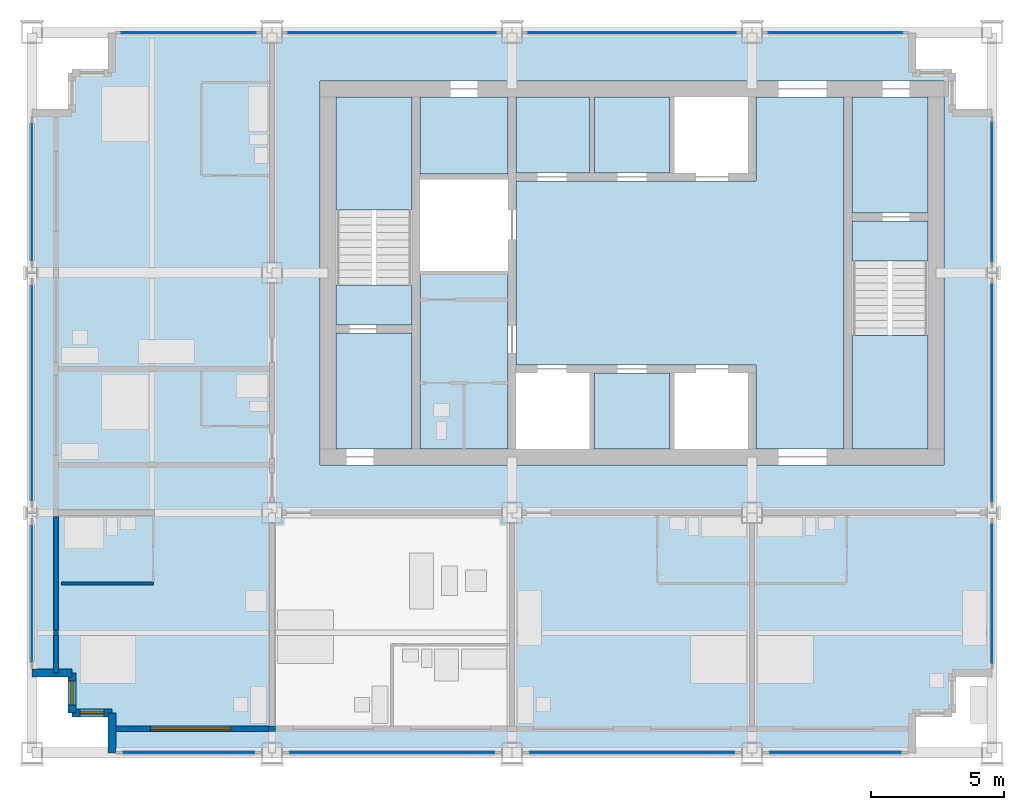
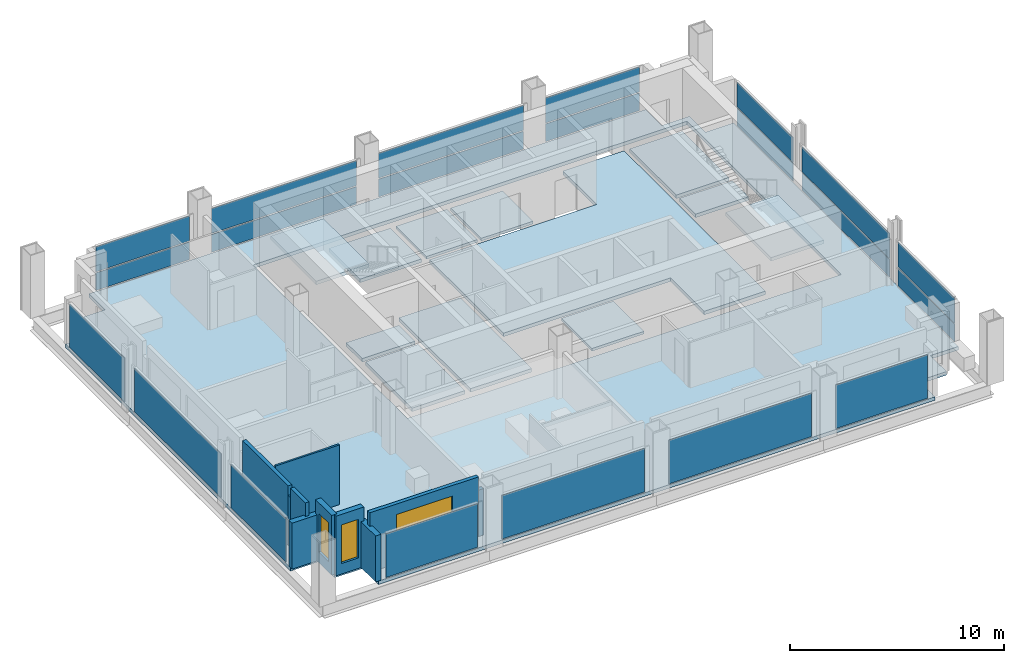
# One storey, part 5 of 11: 21 plates, 13 slabs, 10 walls, 3 windows, 3 openings, 16 elements without a shape of their own.
"""IFC4 building model written with IfcOpenShell, lengths in metres."""

from ifc_helpers import new_model, si_unit, direction, frame, frame_2d, origin, origin_2d, place, context, subcontext, project, spatial, polyline, rectangle, outline, extrude, material, layer, layer_set, type_object, element, fill, aggregate, save


model = new_model("IFC4")

# Units and contexts
model_context = context("Model", 3, precision=1e-05, world=origin(), true_north=direction((0.0, 1.0)))
body_context = subcontext(model_context, "Body", "Model", "MODEL_VIEW")
ifc_project = project(units=[si_unit("LENGTHUNIT", "METRE"), si_unit("AREAUNIT", "SQUARE_METRE"), si_unit("VOLUMEUNIT", "CUBIC_METRE"), si_unit("PLANEANGLEUNIT", "RADIAN"), si_unit("MASSUNIT", "GRAM", prefix="KILO")], contexts=[model_context])

# Site, building, storey
site_placement = place(None, origin())
site = spatial("IfcSite", under=ifc_project, at=site_placement, CompositionType="ELEMENT")
building_placement = place(site_placement, origin())
building = spatial("IfcBuilding", under=site, at=building_placement, Name="Loomwork Tower", CompositionType="ELEMENT")
storey_placement = place(building_placement, frame((0.0, 0.0, 244.60009765625)))
storey = spatial("IfcBuildingStorey", under=building, at=storey_placement, Name="L67", CompositionType="ELEMENT", Elevation=244.60009765625)

# Slabs
ifc_material_1 = material(Name="Concrete 5000 psi (34 MPa) on composite metal deck", Category="concrete")
ifc_layer_1 = layer(ifc_material_1, 0.199951171875)
ifc_layer_set_1 = layer_set([ifc_layer_1], Name="Floor slab 200")
slab_type_1 = type_object("IfcSlabType", Name="Floor slab 200", PredefinedType="FLOOR", material=ifc_layer_set_1)
slab_1_placement = place(storey_placement, frame((0.0, 0.0, -0.2001953125)))
element("IfcSlab", 1, at=slab_1_placement, inside=storey, type_object=slab_type_1, Name="Floor slab L67", PredefinedType="FLOOR", context=body_context, shape_type="SweptSolid", body=[
    extrude(outline(polyline([(3.0, 1.5), (1.5, 1.5), (1.5, 3.0), (0.0, 3.0), (0.0, 24.0), (1.5, 24.0), (1.5, 25.5), (3.0, 25.5), (3.0, 27.0), (33.0, 27.0), (33.0, 25.5), (34.5, 25.5), (34.5, 24.0), (36.0, 24.0), (36.0, 3.0), (34.5, 3.0), (34.5, 1.5), (33.0, 1.5), (33.0, 0.0), (3.0, 0.0), (3.0, 1.5)]), holes=[polyline([(10.800048828125, 11.39990234375), (10.800048828125, 11.39990234375), (10.800048828125, 10.800048828125), (34.199951171875, 10.800048828125), (34.199951171875, 11.39990234375), (34.199951171875, 11.39990234375), (34.199951171875, 24.60009765625), (34.199951171875, 25.199951171875), (10.800048828125, 25.199951171875), (10.800048828125, 24.60009765625), (10.800048828125, 11.39990234375)])]), origin(), (0.0, 0.0, 1.0), 0.2001953125),
])
slab_2_placement = place(storey_placement, frame((0.0, 0.0, -0.2001953125)))
element("IfcSlab", 2, at=slab_2_placement, inside=storey, type_object=slab_type_1, Name="Floor slab L67", PredefinedType="FLOOR", context=body_context, shape_type="SweptSolid", body=[
    extrude(outline(polyline([(30.449951171875, 24.60009765625), (30.449951171875, 11.39990234375), (27.14990234375, 11.39990234375), (27.14990234375, 14.25), (27.14990234375, 14.550048828125), (18.14990234375, 14.550048828125), (18.14990234375, 21.449951171875), (27.14990234375, 21.449951171875), (27.14990234375, 21.75), (27.14990234375, 24.60009765625), (30.449951171875, 24.60009765625)])), origin(), (0.0, 0.0, 1.0), 0.2001953125),
])
slab_3_placement = place(storey_placement, frame((0.0, 0.0, -0.2001953125)))
element("IfcSlab", 3, at=slab_3_placement, inside=storey, type_object=slab_type_1, Name="Floor slab L67", PredefinedType="FLOOR", context=body_context, shape_type="SweptSolid", body=[
    extrude(outline(polyline([(14.550048828125, 11.39990234375), (14.550048828125, 18.074951171875), (17.85009765625, 18.074951171875), (17.85009765625, 11.39990234375), (14.550048828125, 11.39990234375)])), origin(), (0.0, 0.0, 1.0), 0.2001953125),
])
slab_4_placement = place(storey_placement, frame((0.0, 0.0, -0.2001953125)))
element("IfcSlab", 4, at=slab_4_placement, inside=storey, type_object=slab_type_1, Name="Floor slab L67", PredefinedType="FLOOR", context=body_context, shape_type="SweptSolid", body=[
    extrude(outline(polyline([(33.60009765625, 20.25), (30.75, 20.25), (30.75, 24.60009765625), (33.60009765625, 24.60009765625), (33.60009765625, 20.25)])), origin(), (0.0, 0.0, 1.0), 0.2001953125),
])
slab_5_placement = place(storey_placement, frame((0.0, 0.0, -0.2001953125)))
element("IfcSlab", 5, at=slab_5_placement, inside=storey, type_object=slab_type_1, Name="Floor slab L67", PredefinedType="FLOOR", context=body_context, shape_type="SweptSolid", body=[
    extrude(outline(polyline([(14.25, 15.75), (14.25, 11.39990234375), (11.39990234375, 11.39990234375), (11.39990234375, 15.75), (14.25, 15.75)])), origin(), (0.0, 0.0, 1.0), 0.2001953125),
])
slab_6_placement = place(storey_placement, frame((0.0, 0.0, -0.2001953125)))
element("IfcSlab", 6, at=slab_6_placement, inside=storey, type_object=slab_type_1, Name="Floor slab L67", PredefinedType="FLOOR", context=body_context, shape_type="SweptSolid", body=[
    extrude(outline(polyline([(14.550048828125, 21.699951171875), (14.550048828125, 24.60009765625), (17.85009765625, 24.60009765625), (17.85009765625, 21.699951171875), (14.550048828125, 21.699951171875)])), origin(), (0.0, 0.0, 1.0), 0.2001953125),
])

# Curtain wall, plate
ifc_material_2 = material(Name="Aluminium curtain wall frame", Category="aluminium")
curtain_wall_type_1 = type_object("IfcCurtainWallType", Name="Outer skin glazing suites", PredefinedType="NOTDEFINED", material=ifc_material_2)
curtain_wall_1_placement = place(storey_placement, origin())
curtain_wall_1 = element("IfcCurtainWall", 7, at=curtain_wall_1_placement, inside=storey, type_object=curtain_wall_type_1, Name="Outer skin glazing suites cw/S-0", PredefinedType="NOTDEFINED")
ifc_material_3 = material(Name="Clear laminated glass", Category="glass")
ifc_layer_2 = layer(ifc_material_3, 0.02392578125)
ifc_layer_set_2 = layer_set([ifc_layer_2], Name="Outer skin glazing suites panel")
plate_type_1 = type_object("IfcPlateType", Name="Outer skin glazing suites panel", PredefinedType="CURTAIN_PANEL", material=ifc_layer_set_2)
plate_1_placement = place(storey_placement, frame((5.875, 0.0, 0.06494140625), z_axis=(0.0, 0.0, 1.0), x_axis=(1.0, 0.0, 0.0)))
plate_1 = element("IfcPlate", 8, at=plate_1_placement, type_object=plate_type_1, Name="CW2 panel 1.1", PredefinedType="CURTAIN_PANEL", context=body_context, shape_type="SweptSolid", body=[
    extrude(rectangle(XDim=4.949951171875, YDim=0.02392578125, at=origin_2d()), origin(), (0.0, 0.0, 1.0), 2.490234375),
])
aggregate(curtain_wall_1, [plate_1])

curtain_wall_2_placement = place(storey_placement, origin())
curtain_wall_2 = element("IfcCurtainWall", 9, at=curtain_wall_2_placement, inside=storey, type_object=curtain_wall_type_1, Name="Outer skin glazing suites cw/S-9", PredefinedType="NOTDEFINED")
plate_2_placement = place(storey_placement, frame((13.5, 0.0, 0.06494140625), z_axis=(0.0, 0.0, 1.0), x_axis=(1.0, 0.0, 0.0)))
plate_2 = element("IfcPlate", 10, at=plate_2_placement, type_object=plate_type_1, Name="CW2 panel 1.1", PredefinedType="CURTAIN_PANEL", context=body_context, shape_type="SweptSolid", body=[
    extrude(rectangle(XDim=7.699951171875, YDim=0.02392578125, at=origin_2d()), origin(), (0.0, 0.0, 1.0), 2.490234375),
])
aggregate(curtain_wall_2, [plate_2])

curtain_wall_3_placement = place(storey_placement, origin())
curtain_wall_3 = element("IfcCurtainWall", 11, at=curtain_wall_3_placement, inside=storey, type_object=curtain_wall_type_1, Name="Outer skin glazing suites cw/S-18", PredefinedType="NOTDEFINED")
plate_3_placement = place(storey_placement, frame((22.5, 0.0, 0.06494140625), z_axis=(0.0, 0.0, 1.0), x_axis=(1.0, 0.0, 0.0)))
plate_3 = element("IfcPlate", 12, at=plate_3_placement, type_object=plate_type_1, Name="CW2 panel 1.1", PredefinedType="CURTAIN_PANEL", context=body_context, shape_type="SweptSolid", body=[
    extrude(rectangle(XDim=7.699951171875, YDim=0.02392578125, at=origin_2d()), origin(), (0.0, 0.0, 1.0), 2.490234375),
])
aggregate(curtain_wall_3, [plate_3])

curtain_wall_4_placement = place(storey_placement, origin())
curtain_wall_4 = element("IfcCurtainWall", 13, at=curtain_wall_4_placement, inside=storey, type_object=curtain_wall_type_1, Name="Outer skin glazing suites cw/S-27", PredefinedType="NOTDEFINED")
plate_4_placement = place(storey_placement, frame((30.125, 0.0, 0.06494140625), z_axis=(0.0, 0.0, 1.0), x_axis=(1.0, 0.0, 0.0)))
plate_4 = element("IfcPlate", 14, at=plate_4_placement, type_object=plate_type_1, Name="CW2 panel 1.1", PredefinedType="CURTAIN_PANEL", context=body_context, shape_type="SweptSolid", body=[
    extrude(rectangle(XDim=4.949951171875, YDim=0.02392578125, at=origin_2d()), origin(), (0.0, 0.0, 1.0), 2.490234375),
])
aggregate(curtain_wall_4, [plate_4])

curtain_wall_5_placement = place(storey_placement, origin())
curtain_wall_5 = element("IfcCurtainWall", 15, at=curtain_wall_5_placement, inside=storey, type_object=curtain_wall_type_1, Name="Outer skin glazing suites cw/W-0", PredefinedType="NOTDEFINED")
plate_5_placement = place(storey_placement, frame((0.0, 5.969482421875, 0.06494140625), z_axis=(0.0, 0.0, 1.0), x_axis=(0.0, -1.0, 0.0)))
plate_5 = element("IfcPlate", 16, at=plate_5_placement, type_object=plate_type_1, Name="CW2 panel 1.1", PredefinedType="CURTAIN_PANEL", context=body_context, shape_type="SweptSolid", body=[
    extrude(rectangle(XDim=5.13916015625, YDim=0.02392578125, at=origin_2d()), origin(), (0.0, 0.0, 1.0), 2.490234375),
])
aggregate(curtain_wall_5, [plate_5])

curtain_wall_6_placement = place(storey_placement, origin())
curtain_wall_6 = element("IfcCurtainWall", 17, at=curtain_wall_6_placement, inside=storey, type_object=curtain_wall_type_1, Name="Outer skin glazing suites cw/W-9", PredefinedType="NOTDEFINED")
plate_6_placement = place(storey_placement, frame((0.0, 13.5, 0.06494140625), z_axis=(0.0, 0.0, 1.0), x_axis=(0.0, -1.0, 0.0)))
plate_6 = element("IfcPlate", 18, at=plate_6_placement, type_object=plate_type_1, Name="CW2 panel 1.1", PredefinedType="CURTAIN_PANEL", context=body_context, shape_type="SweptSolid", body=[
    extrude(rectangle(XDim=8.078369140625, YDim=0.02392578125, at=origin_2d()), origin(), (0.0, 0.0, 1.0), 2.490234375),
])
aggregate(curtain_wall_6, [plate_6])

curtain_wall_7_placement = place(storey_placement, origin())
curtain_wall_7 = element("IfcCurtainWall", 19, at=curtain_wall_7_placement, inside=storey, type_object=curtain_wall_type_1, Name="Outer skin glazing suites cw/W-18", PredefinedType="NOTDEFINED")
plate_7_placement = place(storey_placement, frame((0.0, 21.030517578125, 0.06494140625), z_axis=(0.0, 0.0, 1.0), x_axis=(0.0, -1.0, 0.0)))
plate_7 = element("IfcPlate", 20, at=plate_7_placement, type_object=plate_type_1, Name="CW2 panel 1.1", PredefinedType="CURTAIN_PANEL", context=body_context, shape_type="SweptSolid", body=[
    extrude(rectangle(XDim=5.13916015625, YDim=0.02392578125, at=origin_2d()), origin(), (0.0, 0.0, 1.0), 2.490234375),
])
aggregate(curtain_wall_7, [plate_7])

# Slabs
ifc_material_4 = material(Name="Concrete 5000 psi (34 MPa) on composite metal deck", Category="concrete")
ifc_layer_3 = layer(ifc_material_4, 0.14990234375)
ifc_layer_set_3 = layer_set([ifc_layer_3], Name="Shaft infill floor 150")
slab_type_2 = type_object("IfcSlabType", Name="Shaft infill floor 150", PredefinedType="FLOOR", material=ifc_layer_set_3)
slab_7_placement = place(storey_placement, frame((0.0, 0.0, -0.150146484375)))
element("IfcSlab", 21, at=slab_7_placement, inside=storey, type_object=slab_type_2, Name="Shaft infill floor LS1 L67", PredefinedType="FLOOR", context=body_context, shape_type="SweptSolid", body=[
    extrude(outline(polyline([(18.14990234375, 21.75), (20.89990234375, 21.75), (20.89990234375, 24.60009765625), (18.14990234375, 24.60009765625), (18.14990234375, 21.75)])), origin(), (0.0, 0.0, 1.0), 0.150146484375),
])
slab_8_placement = place(storey_placement, frame((0.0, 0.0, -0.150146484375)))
element("IfcSlab", 22, at=slab_8_placement, inside=storey, type_object=slab_type_2, Name="Shaft infill floor LS2 L67", PredefinedType="FLOOR", context=body_context, shape_type="SweptSolid", body=[
    extrude(outline(polyline([(21.10009765625, 21.75), (23.89990234375, 21.75), (23.89990234375, 24.60009765625), (21.10009765625, 24.60009765625), (21.10009765625, 21.75)])), origin(), (0.0, 0.0, 1.0), 0.150146484375),
])
slab_9_placement = place(storey_placement, frame((0.0, 0.0, -0.150146484375)))
element("IfcSlab", 23, at=slab_9_placement, inside=storey, type_object=slab_type_2, Name="Shaft infill floor S2 L67", PredefinedType="FLOOR", context=body_context, shape_type="SweptSolid", body=[
    extrude(outline(polyline([(21.10009765625, 11.39990234375), (23.89990234375, 11.39990234375), (23.89990234375, 14.25), (21.10009765625, 14.25), (21.10009765625, 11.39990234375)])), origin(), (0.0, 0.0, 1.0), 0.150146484375),
])

# Curtain wall, plates
ifc_material_5 = material(Name="Aluminium curtain wall frame", Category="aluminium")
curtain_wall_type_2 = type_object("IfcCurtainWallType", Name="Single skin glazing corridor", PredefinedType="NOTDEFINED", material=ifc_material_5)
curtain_wall_8_placement = place(storey_placement, origin())
curtain_wall_8 = element("IfcCurtainWall", 24, at=curtain_wall_8_placement, inside=storey, type_object=curtain_wall_type_2, Name="Single skin glazing corridor cw/N-0", PredefinedType="NOTDEFINED")
ifc_material_6 = material(Name="Clear insulated glass", Category="glass")
ifc_layer_4 = layer(ifc_material_6, 0.031982421875)
ifc_layer_set_4 = layer_set([ifc_layer_4], Name="Single skin glazing corridor panel")
plate_type_2 = type_object("IfcPlateType", Name="Single skin glazing corridor panel", PredefinedType="CURTAIN_PANEL", material=ifc_layer_set_4)
plate_8_placement = place(storey_placement, frame((5.875, 27.0, 0.06494140625), z_axis=(0.0, 0.0, 1.0), x_axis=(-1.0, 0.0, 0.0)))
plate_8 = element("IfcPlate", 25, at=plate_8_placement, type_object=plate_type_2, Name="CW3 panel 1.1", PredefinedType="CURTAIN_PANEL", context=body_context, shape_type="SweptSolid", body=[
    extrude(rectangle(XDim=5.050048828125, YDim=0.031982421875, at=origin_2d()), origin(), (0.0, 0.0, 1.0), 1.00244140625),
])
plate_9_placement = place(storey_placement, frame((5.875, 27.0, 1.13232421875), z_axis=(0.0, 0.0, 1.0), x_axis=(-1.0, 0.0, 0.0)))
plate_9 = element("IfcPlate", 26, at=plate_9_placement, type_object=plate_type_2, Name="CW3 panel 1.2", PredefinedType="CURTAIN_PANEL", context=body_context, shape_type="SweptSolid", body=[
    extrude(rectangle(XDim=5.050048828125, YDim=0.031982421875, at=origin_2d()), origin(), (0.0, 0.0, 1.0), 1.422607421875),
])
aggregate(curtain_wall_8, [plate_8, plate_9])

curtain_wall_9_placement = place(storey_placement, origin())
curtain_wall_9 = element("IfcCurtainWall", 27, at=curtain_wall_9_placement, inside=storey, type_object=curtain_wall_type_2, Name="Single skin glazing corridor cw/N-9", PredefinedType="NOTDEFINED")
plate_10_placement = place(storey_placement, frame((13.5, 27.0, 0.06494140625), z_axis=(0.0, 0.0, 1.0), x_axis=(-1.0, 0.0, 0.0)))
plate_10 = element("IfcPlate", 28, at=plate_10_placement, type_object=plate_type_2, Name="CW3 panel 1.1", PredefinedType="CURTAIN_PANEL", context=body_context, shape_type="SweptSolid", body=[
    extrude(rectangle(XDim=7.800048828125, YDim=0.031982421875, at=origin_2d()), origin(), (0.0, 0.0, 1.0), 1.00244140625),
])
plate_11_placement = place(storey_placement, frame((13.5, 27.0, 1.13232421875), z_axis=(0.0, 0.0, 1.0), x_axis=(-1.0, 0.0, 0.0)))
plate_11 = element("IfcPlate", 29, at=plate_11_placement, type_object=plate_type_2, Name="CW3 panel 1.2", PredefinedType="CURTAIN_PANEL", context=body_context, shape_type="SweptSolid", body=[
    extrude(rectangle(XDim=7.800048828125, YDim=0.031982421875, at=origin_2d()), origin(), (0.0, 0.0, 1.0), 1.422607421875),
])
aggregate(curtain_wall_9, [plate_10, plate_11])

curtain_wall_10_placement = place(storey_placement, origin())
curtain_wall_10 = element("IfcCurtainWall", 30, at=curtain_wall_10_placement, inside=storey, type_object=curtain_wall_type_2, Name="Single skin glazing corridor cw/N-18", PredefinedType="NOTDEFINED")
plate_12_placement = place(storey_placement, frame((22.5, 27.0, 0.06494140625), z_axis=(0.0, 0.0, 1.0), x_axis=(-1.0, 0.0, 0.0)))
plate_12 = element("IfcPlate", 31, at=plate_12_placement, type_object=plate_type_2, Name="CW3 panel 1.1", PredefinedType="CURTAIN_PANEL", context=body_context, shape_type="SweptSolid", body=[
    extrude(rectangle(XDim=7.800048828125, YDim=0.031982421875, at=origin_2d()), origin(), (0.0, 0.0, 1.0), 1.00244140625),
])
plate_13_placement = place(storey_placement, frame((22.5, 27.0, 1.13232421875), z_axis=(0.0, 0.0, 1.0), x_axis=(-1.0, 0.0, 0.0)))
plate_13 = element("IfcPlate", 32, at=plate_13_placement, type_object=plate_type_2, Name="CW3 panel 1.2", PredefinedType="CURTAIN_PANEL", context=body_context, shape_type="SweptSolid", body=[
    extrude(rectangle(XDim=7.800048828125, YDim=0.031982421875, at=origin_2d()), origin(), (0.0, 0.0, 1.0), 1.422607421875),
])
aggregate(curtain_wall_10, [plate_12, plate_13])

curtain_wall_11_placement = place(storey_placement, origin())
curtain_wall_11 = element("IfcCurtainWall", 33, at=curtain_wall_11_placement, inside=storey, type_object=curtain_wall_type_2, Name="Single skin glazing corridor cw/N-27", PredefinedType="NOTDEFINED")
plate_14_placement = place(storey_placement, frame((30.125, 27.0, 0.06494140625), z_axis=(0.0, 0.0, 1.0), x_axis=(-1.0, 0.0, 0.0)))
plate_14 = element("IfcPlate", 34, at=plate_14_placement, type_object=plate_type_2, Name="CW3 panel 1.1", PredefinedType="CURTAIN_PANEL", context=body_context, shape_type="SweptSolid", body=[
    extrude(rectangle(XDim=5.050048828125, YDim=0.031982421875, at=origin_2d()), origin(), (0.0, 0.0, 1.0), 1.00244140625),
])
plate_15_placement = place(storey_placement, frame((30.125, 27.0, 1.13232421875), z_axis=(0.0, 0.0, 1.0), x_axis=(-1.0, 0.0, 0.0)))
plate_15 = element("IfcPlate", 35, at=plate_15_placement, type_object=plate_type_2, Name="CW3 panel 1.2", PredefinedType="CURTAIN_PANEL", context=body_context, shape_type="SweptSolid", body=[
    extrude(rectangle(XDim=5.050048828125, YDim=0.031982421875, at=origin_2d()), origin(), (0.0, 0.0, 1.0), 1.422607421875),
])
aggregate(curtain_wall_11, [plate_14, plate_15])

curtain_wall_12_placement = place(storey_placement, origin())
curtain_wall_12 = element("IfcCurtainWall", 36, at=curtain_wall_12_placement, inside=storey, type_object=curtain_wall_type_2, Name="Single skin glazing corridor cw/E-0", PredefinedType="NOTDEFINED")
plate_16_placement = place(storey_placement, frame((36.0, 5.969482421875, 0.06494140625), z_axis=(0.0, 0.0, 1.0), x_axis=(0.0, 1.0, 0.0)))
plate_16 = element("IfcPlate", 37, at=plate_16_placement, type_object=plate_type_2, Name="CW3 panel 1.1", PredefinedType="CURTAIN_PANEL", context=body_context, shape_type="SweptSolid", body=[
    extrude(rectangle(XDim=5.2392578125, YDim=0.031982421875, at=origin_2d()), origin(), (0.0, 0.0, 1.0), 1.00244140625),
])
plate_17_placement = place(storey_placement, frame((36.0, 5.969482421875, 1.13232421875), z_axis=(0.0, 0.0, 1.0), x_axis=(0.0, 1.0, 0.0)))
plate_17 = element("IfcPlate", 38, at=plate_17_placement, type_object=plate_type_2, Name="CW3 panel 1.2", PredefinedType="CURTAIN_PANEL", context=body_context, shape_type="SweptSolid", body=[
    extrude(rectangle(XDim=5.2392578125, YDim=0.031982421875, at=origin_2d()), origin(), (0.0, 0.0, 1.0), 1.422607421875),
])
aggregate(curtain_wall_12, [plate_16, plate_17])

curtain_wall_13_placement = place(storey_placement, origin())
curtain_wall_13 = element("IfcCurtainWall", 39, at=curtain_wall_13_placement, inside=storey, type_object=curtain_wall_type_2, Name="Single skin glazing corridor cw/E-9", PredefinedType="NOTDEFINED")
plate_18_placement = place(storey_placement, frame((36.0, 13.5, 0.06494140625), z_axis=(0.0, 0.0, 1.0), x_axis=(0.0, 1.0, 0.0)))
plate_18 = element("IfcPlate", 40, at=plate_18_placement, type_object=plate_type_2, Name="CW3 panel 1.1", PredefinedType="CURTAIN_PANEL", context=body_context, shape_type="SweptSolid", body=[
    extrude(rectangle(XDim=8.178466796875, YDim=0.031982421875, at=origin_2d()), origin(), (0.0, 0.0, 1.0), 1.00244140625),
])
plate_19_placement = place(storey_placement, frame((36.0, 13.5, 1.13232421875), z_axis=(0.0, 0.0, 1.0), x_axis=(0.0, 1.0, 0.0)))
plate_19 = element("IfcPlate", 41, at=plate_19_placement, type_object=plate_type_2, Name="CW3 panel 1.2", PredefinedType="CURTAIN_PANEL", context=body_context, shape_type="SweptSolid", body=[
    extrude(rectangle(XDim=8.178466796875, YDim=0.031982421875, at=origin_2d()), origin(), (0.0, 0.0, 1.0), 1.422607421875),
])
aggregate(curtain_wall_13, [plate_18, plate_19])

curtain_wall_14_placement = place(storey_placement, origin())
curtain_wall_14 = element("IfcCurtainWall", 42, at=curtain_wall_14_placement, inside=storey, type_object=curtain_wall_type_2, Name="Single skin glazing corridor cw/E-18", PredefinedType="NOTDEFINED")
plate_20_placement = place(storey_placement, frame((36.0, 21.030517578125, 0.06494140625), z_axis=(0.0, 0.0, 1.0), x_axis=(0.0, 1.0, 0.0)))
plate_20 = element("IfcPlate", 43, at=plate_20_placement, type_object=plate_type_2, Name="CW3 panel 1.1", PredefinedType="CURTAIN_PANEL", context=body_context, shape_type="SweptSolid", body=[
    extrude(rectangle(XDim=5.2392578125, YDim=0.031982421875, at=origin_2d()), origin(), (0.0, 0.0, 1.0), 1.00244140625),
])
plate_21_placement = place(storey_placement, frame((36.0, 21.030517578125, 1.13232421875), z_axis=(0.0, 0.0, 1.0), x_axis=(0.0, 1.0, 0.0)))
plate_21 = element("IfcPlate", 44, at=plate_21_placement, type_object=plate_type_2, Name="CW3 panel 1.2", PredefinedType="CURTAIN_PANEL", context=body_context, shape_type="SweptSolid", body=[
    extrude(rectangle(XDim=5.2392578125, YDim=0.031982421875, at=origin_2d()), origin(), (0.0, 0.0, 1.0), 1.422607421875),
])
aggregate(curtain_wall_14, [plate_20, plate_21])

# Stair, slabs
ifc_material_7 = material(Name="Concrete 5000 psi (34 MPa) precast stair", Category="concrete")
stair_type_1 = type_object("IfcStairType", Name="Stair ST-A 22 risers 2850 wide", PredefinedType="HALF_TURN_STAIR", material=ifc_material_7)
stair_1_placement = place(storey_placement, origin())
stair_1 = element("IfcStair", 45, at=stair_1_placement, inside=storey, type_object=stair_type_1, Name="Stair A L67", PredefinedType="HALF_TURN_STAIR")
ifc_material_8 = material(Name="Concrete 5000 psi (34 MPa)", Category="concrete")
ifc_layer_5 = layer(ifc_material_8, 0.199951171875)
ifc_layer_set_5 = layer_set([ifc_layer_5], Name="Stair landing 200")
slab_type_3 = type_object("IfcSlabType", Name="Stair landing 200", PredefinedType="LANDING", material=ifc_layer_set_5)
slab_10_placement = place(storey_placement, frame((0.0, 0.0, -0.2001953125)))
slab_10 = element("IfcSlab", 46, at=slab_10_placement, type_object=slab_type_3, Name="ST-A landing 1", PredefinedType="LANDING", context=body_context, shape_type="SweptSolid", body=[
    extrude(outline(polyline([(11.39990234375, 16.050048828125), (14.25, 16.050048828125), (14.25, 17.550048828125), (11.39990234375, 17.550048828125), (11.39990234375, 16.050048828125)])), origin(), (0.0, 0.0, 1.0), 0.2001953125),
])
slab_11_placement = place(storey_placement, frame((0.0, 0.0, 1.599853515625)))
slab_11 = element("IfcSlab", 47, at=slab_11_placement, type_object=slab_type_3, Name="ST-A landing 2", PredefinedType="LANDING", context=body_context, shape_type="SweptSolid", body=[
    extrude(outline(polyline([(11.39990234375, 20.35009765625), (14.25, 20.35009765625), (14.25, 24.60009765625), (11.39990234375, 24.60009765625), (11.39990234375, 20.35009765625)])), origin(), (0.0, 0.0, 1.0), 0.199951171875),
])
aggregate(stair_1, [slab_10, slab_11])

ifc_material_9 = material(Name="Concrete 5000 psi (34 MPa) precast stair", Category="concrete")
stair_type_2 = type_object("IfcStairType", Name="Stair ST-B 22 risers 2850 wide", PredefinedType="HALF_TURN_STAIR", material=ifc_material_9)
stair_2_placement = place(storey_placement, origin())
stair_2 = element("IfcStair", 48, at=stair_2_placement, inside=storey, type_object=stair_type_2, Name="Stair B L67", PredefinedType="HALF_TURN_STAIR")
slab_12_placement = place(storey_placement, frame((0.0, 0.0, -0.2001953125)))
slab_12 = element("IfcSlab", 49, at=slab_12_placement, type_object=slab_type_3, Name="ST-B landing 1", PredefinedType="LANDING", context=body_context, shape_type="SweptSolid", body=[
    extrude(outline(polyline([(30.75, 18.449951171875), (33.60009765625, 18.449951171875), (33.60009765625, 19.949951171875), (30.75, 19.949951171875), (30.75, 18.449951171875)])), origin(), (0.0, 0.0, 1.0), 0.2001953125),
])
slab_13_placement = place(storey_placement, frame((0.0, 0.0, 1.599853515625)))
slab_13 = element("IfcSlab", 50, at=slab_13_placement, type_object=slab_type_3, Name="ST-B landing 2", PredefinedType="LANDING", context=body_context, shape_type="SweptSolid", body=[
    extrude(outline(polyline([(30.75, 11.39990234375), (33.60009765625, 11.39990234375), (33.60009765625, 15.64990234375), (30.75, 15.64990234375), (30.75, 11.39990234375)])), origin(), (0.0, 0.0, 1.0), 0.199951171875),
])
aggregate(stair_2, [slab_12, slab_13])

# Wall
ifc_material_10 = material(Name="Cement board on steel studs", Category="steel")
ifc_layer_6 = layer(ifc_material_10, 0.10009765625)
ifc_layer_set_6 = layer_set([ifc_layer_6], Name="En-suite partition 100")
wall_type_1 = type_object("IfcWallType", Name="En-suite partition 100", PredefinedType="PARTITIONING", material=ifc_layer_set_6)
wall_1_placement = place(storey_placement, frame((1.10009765625, 6.35009765625, 0.0), z_axis=(0.0, 0.0, 1.0), x_axis=(1.0, 0.0, 0.0)))
element("IfcWall", 51, at=wall_1_placement, inside=storey, type_object=wall_type_1, Name="En-suite wall L67 room 1", PredefinedType="PARTITIONING", context=body_context, shape_type="SweptSolid", body=[
    extrude(rectangle(XDim=3.449951171875, YDim=0.10009765625, at=frame_2d((1.72509765625, 0.0))), origin(), (0.0, 0.0, 1.0), 3.39990234375),
])

# Wall, opening, window
ifc_material_11 = material(Name="Insulated steel stud wall with gypsum lining", Category="steel")
ifc_layer_7 = layer(ifc_material_11, 0.199951171875)
ifc_layer_set_7 = layer_set([ifc_layer_7], Name="Inner skin wall 200")
wall_type_2 = type_object("IfcWallType", Name="Inner skin wall 200", PredefinedType="SOLIDWALL", material=ifc_layer_set_7)
wall_2_placement = place(storey_placement, frame((3.0, 0.89990234375, 0.0), z_axis=(0.0, 0.0, 1.0), x_axis=(1.0, 0.0, 0.0)))
wall_2 = element("IfcWall", 52, at=wall_2_placement, inside=storey, type_object=wall_type_2, Name="Inner skin wall S", PredefinedType="SOLIDWALL", context=body_context, shape_type="SweptSolid", body=[
    extrude(rectangle(XDim=5.86474609375, YDim=0.199951171875, at=frame_2d((2.932373046875, 0.0))), origin(), (0.0, 0.0, 1.0), 3.39990234375),
])
opening_1_placement = place(wall_2_placement, frame((1.449951171875, 0.0, 0.60009765625)))
opening_1 = element("IfcOpeningElement", 53, at=opening_1_placement, cuts=wall_2, Name="Opening CH1", PredefinedType="OPENING", context=body_context, shape_type="SweptSolid", body=[
    extrude(rectangle(XDim=3.0, YDim=2.199951171875, at=frame_2d((1.5, 1.10009765625))), frame((0.0, 0.10986328125, 0.0), z_axis=(0.0, -1.0, 0.0), x_axis=(1.0, 0.0, 0.0)), (0.0, 0.0, 1.0), 0.219970703125),
])
ifc_material_12 = material(Name="Aluminium frame with clear insulated glass", Category="aluminium")
window_type_1 = type_object("IfcWindowType", Name="Chicago window 3000", PartitioningType="TRIPLE_PANEL_VERTICAL", PredefinedType="WINDOW", material=ifc_material_12)
window_1_placement = place(opening_1_placement, origin())
window_1 = element("IfcWindow", 54, at=window_1_placement, inside=storey, type_object=window_type_1, Name="Chicago window L67 bay 1", OverallHeight=2.199951171875, OverallWidth=3.0, PartitioningType="TRIPLE_PANEL_VERTICAL", PredefinedType="WINDOW", context=body_context, shape_type="SweptSolid", body=[
    extrude(rectangle(XDim=3.0, YDim=2.199951171875, at=frame_2d((1.5, 1.10009765625))), frame((0.0, 0.030029296875, 0.0), z_axis=(0.0, -1.0, 0.0), x_axis=(1.0, 0.0, 0.0)), (0.0, 0.0, 1.0), 0.06005859375),
])
fill(opening_1, window_1)

# Walls
wall_3_placement = place(storey_placement, frame((0.89990234375, 3.0, 0.0), z_axis=(0.0, 0.0, 1.0), x_axis=(0.0, 1.0, 0.0)))
element("IfcWall", 55, at=wall_3_placement, inside=storey, type_object=wall_type_2, Name="Inner skin wall W", PredefinedType="SOLIDWALL", context=body_context, shape_type="SweptSolid", body=[
    extrude(rectangle(XDim=1.392578125, YDim=0.199951171875, at=frame_2d((0.6962890625, 0.0))), origin(), (0.0, 0.0, 1.0), 3.39990234375),
])
wall_4_placement = place(storey_placement, frame((8.86474609375, 0.89990234375, 0.0), z_axis=(0.0, 0.0, 1.0), x_axis=(1.0, 0.0, 0.0)))
element("IfcWall", 56, at=wall_4_placement, inside=storey, type_object=wall_type_2, Name="Inner skin wall S bay 2", PredefinedType="SOLIDWALL", context=body_context, shape_type="SweptSolid", body=[
    extrude(rectangle(XDim=0.2705078125, YDim=0.199951171875, at=frame_2d((0.13525390625, 0.0))), origin(), (0.0, 0.0, 1.0), 2.637939453125),
])
wall_5_placement = place(storey_placement, frame((0.89990234375, 4.392578125, 0.0), z_axis=(0.0, 0.0, 1.0), x_axis=(0.0, 1.0, 0.0)))
element("IfcWall", 57, at=wall_5_placement, inside=storey, type_object=wall_type_2, Name="Inner skin wall W bay 2", PredefinedType="SOLIDWALL", context=body_context, shape_type="SweptSolid", body=[
    extrude(rectangle(XDim=0.21484375, YDim=0.199951171875, at=frame_2d((0.107421875, 0.0))), origin(), (0.0, 0.0, 1.0), 2.86083984375),
])
wall_6_placement = place(storey_placement, frame((0.89990234375, 4.607421875, 0.0), z_axis=(0.0, 0.0, 1.0), x_axis=(0.0, 1.0, 0.0)))
element("IfcWall", 58, at=wall_6_placement, inside=storey, type_object=wall_type_2, Name="Inner skin wall W bay 3", PredefinedType="SOLIDWALL", context=body_context, shape_type="SweptSolid", body=[
    extrude(rectangle(XDim=4.25732421875, YDim=0.199951171875, at=frame_2d((2.128662109375, 0.0))), origin(), (0.0, 0.0, 1.0), 3.39990234375),
])
ifc_material_13 = material(Name="Limestone on concrete masonry", Category="masonry")
ifc_layer_8 = layer(ifc_material_13, 0.300048828125)
ifc_layer_set_8 = layer_set([ifc_layer_8], Name="Limestone corner wall 300")
wall_type_3 = type_object("IfcWallType", Name="Limestone corner wall 300", PredefinedType="SOLIDWALL", material=ifc_layer_set_8)
wall_7_placement = place(storey_placement, frame((0.0, 3.0, 0.0), z_axis=(0.0, 0.0, 1.0), x_axis=(1.0, 0.0, 0.0)))
element("IfcWall", 59, at=wall_7_placement, inside=storey, type_object=wall_type_3, Name="Stone corner wall SW 1", PredefinedType="SOLIDWALL", context=body_context, shape_type="SweptSolid", body=[
    extrude(rectangle(XDim=1.5, YDim=0.300048828125, at=frame_2d((0.75, 0.0))), origin(), (0.0, 0.0, 1.0), 2.619873046875),
])

# Wall, opening, window
wall_8_placement = place(storey_placement, frame((1.5, 3.0, 0.0), z_axis=(0.0, 0.0, 1.0), x_axis=(0.0, -1.0, 0.0)))
wall_8 = element("IfcWall", 60, at=wall_8_placement, inside=storey, type_object=wall_type_3, Name="Stone corner wall SW 2", PredefinedType="SOLIDWALL", context=body_context, shape_type="SweptSolid", body=[
    extrude(rectangle(XDim=1.5, YDim=0.300048828125, at=frame_2d((0.75, 0.0))), origin(), (0.0, 0.0, 1.0), 3.39990234375),
])
opening_2_placement = place(wall_8_placement, frame((0.300048828125, 0.0, 0.60009765625)))
opening_2 = element("IfcOpeningElement", 61, at=opening_2_placement, cuts=wall_8, Name="Opening CH2", PredefinedType="OPENING", context=body_context, shape_type="SweptSolid", body=[
    extrude(rectangle(XDim=0.89990234375, YDim=2.199951171875, at=frame_2d((0.449951171875, 1.10009765625))), frame((0.0, 0.159912109375, 0.0), z_axis=(0.0, -1.0, 0.0), x_axis=(1.0, 0.0, 0.0)), (0.0, 0.0, 1.0), 0.320068359375),
])
ifc_material_14 = material(Name="Aluminium frame with clear insulated glass", Category="aluminium")
window_type_2 = type_object("IfcWindowType", Name="Corner window 900", PartitioningType="SINGLE_PANEL", PredefinedType="WINDOW", material=ifc_material_14)
window_2_placement = place(opening_2_placement, origin())
window_2 = element("IfcWindow", 62, at=window_2_placement, inside=storey, type_object=window_type_2, Name="Corner window SW", OverallHeight=2.199951171875, OverallWidth=0.89990234375, PartitioningType="SINGLE_PANEL", PredefinedType="WINDOW", context=body_context, shape_type="SweptSolid", body=[
    extrude(rectangle(XDim=0.89990234375, YDim=2.199951171875, at=frame_2d((0.449951171875, 1.10009765625))), frame((0.0, 0.030029296875, 0.0), z_axis=(0.0, -1.0, 0.0), x_axis=(1.0, 0.0, 0.0)), (0.0, 0.0, 1.0), 0.06005859375),
])
fill(opening_2, window_2)

wall_9_placement = place(storey_placement, frame((1.5, 1.5, 0.0), z_axis=(0.0, 0.0, 1.0), x_axis=(1.0, 0.0, 0.0)))
wall_9 = element("IfcWall", 63, at=wall_9_placement, inside=storey, type_object=wall_type_3, Name="Stone corner wall SW 3", PredefinedType="SOLIDWALL", context=body_context, shape_type="SweptSolid", body=[
    extrude(rectangle(XDim=1.5, YDim=0.300048828125, at=frame_2d((0.75, 0.0))), origin(), (0.0, 0.0, 1.0), 3.39990234375),
])
opening_3_placement = place(wall_9_placement, frame((0.300048828125, 0.0, 0.60009765625)))
opening_3 = element("IfcOpeningElement", 64, at=opening_3_placement, cuts=wall_9, Name="Opening CH2", PredefinedType="OPENING", context=body_context, shape_type="SweptSolid", body=[
    extrude(rectangle(XDim=0.89990234375, YDim=2.199951171875, at=frame_2d((0.449951171875, 1.10009765625))), frame((0.0, 0.159912109375, 0.0), z_axis=(0.0, -1.0, 0.0), x_axis=(1.0, 0.0, 0.0)), (0.0, 0.0, 1.0), 0.320068359375),
])
window_3_placement = place(opening_3_placement, origin())
window_3 = element("IfcWindow", 65, at=window_3_placement, inside=storey, type_object=window_type_2, Name="Corner window SW", OverallHeight=2.199951171875, OverallWidth=0.89990234375, PartitioningType="SINGLE_PANEL", PredefinedType="WINDOW", context=body_context, shape_type="SweptSolid", body=[
    extrude(rectangle(XDim=0.89990234375, YDim=2.199951171875, at=frame_2d((0.449951171875, 1.10009765625))), frame((0.0, 0.030029296875, 0.0), z_axis=(0.0, -1.0, 0.0), x_axis=(1.0, 0.0, 0.0)), (0.0, 0.0, 1.0), 0.06005859375),
])
fill(opening_3, window_3)

# Wall
wall_10_placement = place(storey_placement, frame((3.0, 1.5, 0.0), z_axis=(0.0, 0.0, 1.0), x_axis=(0.0, -1.0, 0.0)))
element("IfcWall", 66, at=wall_10_placement, inside=storey, type_object=wall_type_3, Name="Stone corner wall SW 4", PredefinedType="SOLIDWALL", context=body_context, shape_type="SweptSolid", body=[
    extrude(rectangle(XDim=1.5, YDim=0.300048828125, at=frame_2d((0.75, 0.0))), origin(), (0.0, 0.0, 1.0), 2.619873046875),
])

save(model, "model.ifc")
